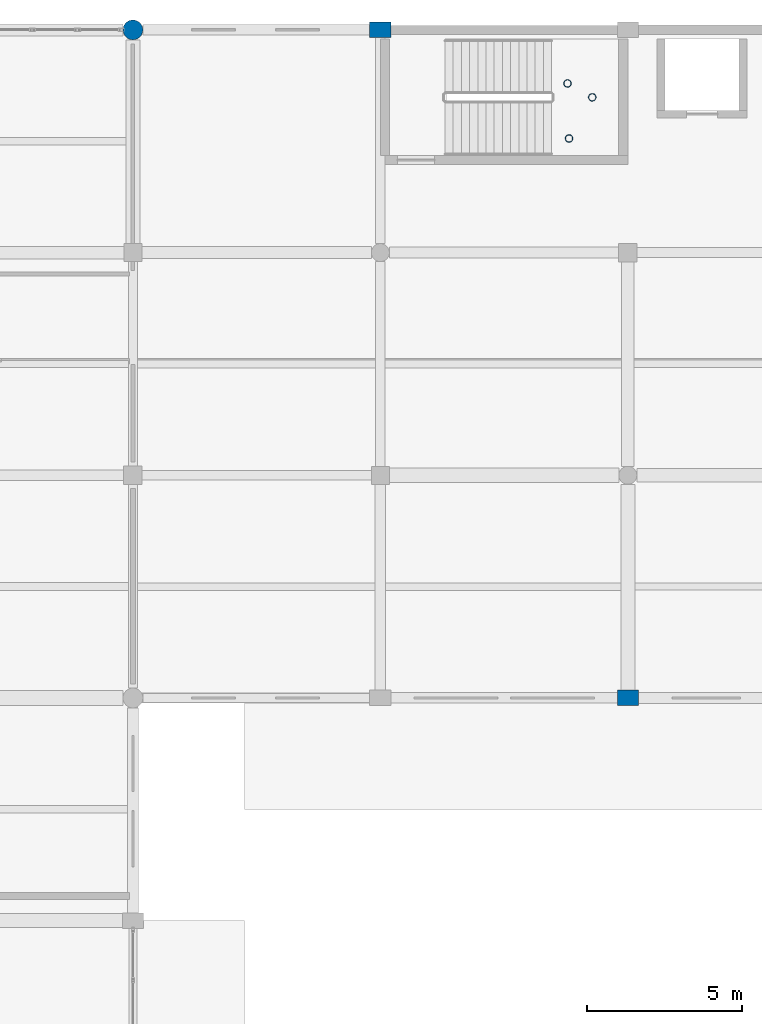
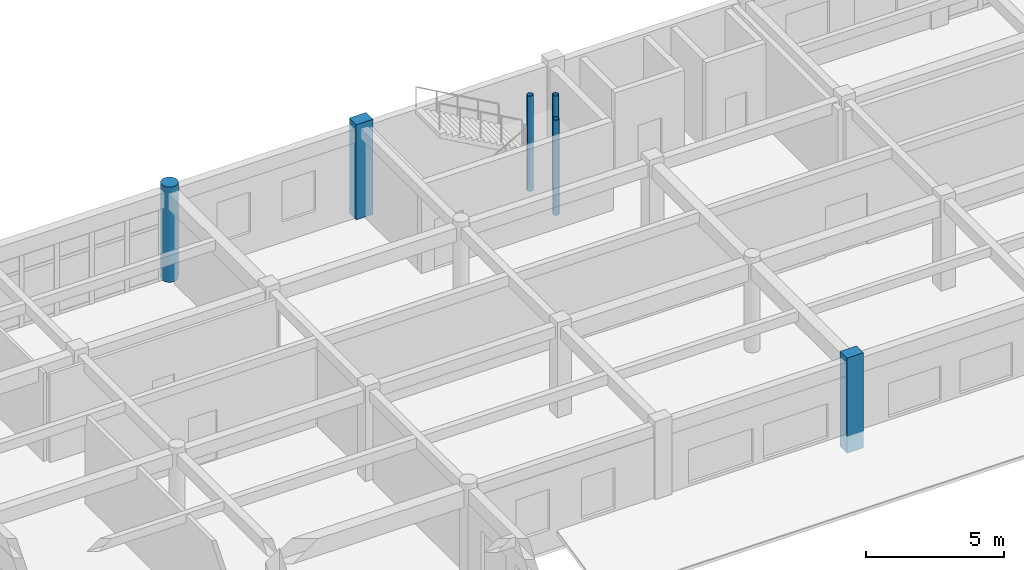
# One storey, part 2 of 121: 6 columns.
"""IFC4 building model written with IfcOpenShell, lengths in metres."""

import ifcopenshell
import ifcopenshell.guid

model = None  # the IFC model being written
_history = None  # IfcOwnerHistory: only IFC2X3 demands one
_inside = {}  # id of a spatial element -> (the spatial element, [elements in it])
_under = {}  # id of a project, library or spatial element -> (it, [spatial elements below it])
_declared = {}  # id of a project -> (the project, [libraries it declares])
_typed = {}  # id of a type object -> (the type object, [elements of that type])
_made_of = {}  # id of a material, layer set ... -> (it, [elements and type objects made of it])


def new_model(schema):
    """Start an empty IFC model of exactly this schema.

    Asked for "IFC4X3", IfcOpenShell would pick the latest addendum, in which some entities
    have other attributes; the version numbers below select the first issue.
    IFC2X3 requires an IfcOwnerHistory on every rooted entity: one is made here for all.
    """
    global model, _history
    if schema == "IFC4X3":
        model = ifcopenshell.file(schema_version=(4, 3, 0, 0))
    else:
        model = ifcopenshell.file(schema=schema)
    _inside.clear()
    _under.clear()
    _declared.clear()
    _typed.clear()
    _made_of.clear()
    _history = None
    if model.schema == "IFC2X3":
        org = make("IfcOrganization", Name="unknown")
        user = make(
            "IfcPersonAndOrganization",
            ThePerson=make("IfcPerson", FamilyName="unknown"),
            TheOrganization=org,
        )
        app = make(
            "IfcApplication",
            ApplicationDeveloper=org,
            Version="unknown",
            ApplicationFullName="unknown",
            ApplicationIdentifier="unknown",
        )
        _history = make(
            "IfcOwnerHistory",
            OwningUser=user,
            OwningApplication=app,
            ChangeAction="ADDED",
            CreationDate=0,
        )
    return model


def make(cls, **values):
    """One entity of the class cls with the attributes given. An attribute that is None is left unset."""
    return model.create_entity(
        cls, **{name: value for name, value in values.items() if value is not None}
    )


def rooted(cls, **values):
    """An entity with a GlobalId (a new one), such as an element, a storey or a relation."""
    return make(cls, GlobalId=ifcopenshell.guid.new(), OwnerHistory=_history, **values)


def si_unit(unit_type, name, prefix=None):
    """IfcSIUnit, for example si_unit("LENGTHUNIT", "METRE", prefix="MILLI")."""
    return make("IfcSIUnit", UnitType=unit_type, Prefix=prefix, Name=name)


def assignment(units):
    """IfcUnitAssignment: the units of a project."""
    return None if units is None else make("IfcUnitAssignment", Units=units)


def point(xyz):
    """IfcCartesianPoint."""
    return None if xyz is None else make("IfcCartesianPoint", Coordinates=xyz)


def direction(xyz):
    """IfcDirection."""
    return None if xyz is None else make("IfcDirection", DirectionRatios=xyz)


def frame(location, z_axis=None, x_axis=None):
    """IfcAxis2Placement3D, a coordinate frame: its origin and axes. An axis left out is left unset."""
    return make(
        "IfcAxis2Placement3D",
        Location=point(location),
        Axis=direction(z_axis),
        RefDirection=direction(x_axis),
    )


def frame_2d(location, x_axis=None):
    """IfcAxis2Placement2D, a coordinate frame in the plane: its origin and x axis."""
    return make(
        "IfcAxis2Placement2D", Location=point(location), RefDirection=direction(x_axis)
    )


def origin():
    """The frame at (0, 0, 0) with its axes left unset."""
    return frame((0.0, 0.0, 0.0))


def origin_2d():
    """The frame at (0, 0) in the plane with its x axis left unset."""
    return frame_2d((0.0, 0.0))


def place(relative_to, where):
    """IfcLocalPlacement: puts the frame where relative to a parent placement (None: the world)."""
    return make(
        "IfcLocalPlacement", PlacementRelTo=relative_to, RelativePlacement=where
    )


def context(
    kind, dimensions, precision=None, world=None, true_north=None, identifier=None
):
    """IfcGeometricRepresentationContext, for example the 3D "Model" context."""
    return make(
        "IfcGeometricRepresentationContext",
        ContextIdentifier=identifier,
        ContextType=kind,
        CoordinateSpaceDimension=dimensions,
        Precision=precision,
        WorldCoordinateSystem=world,
        TrueNorth=true_north,
    )


def subcontext(parent, identifier, kind, view, scale=None):
    """IfcGeometricRepresentationSubContext, for example "Body" below "Model"."""
    return make(
        "IfcGeometricRepresentationSubContext",
        ContextIdentifier=identifier,
        ContextType=kind,
        ParentContext=parent,
        TargetScale=scale,
        TargetView=view,
    )


def project(units=None, contexts=None):
    """IfcProject with its units and contexts."""
    return rooted(
        "IfcProject",
        Name="project",
        RepresentationContexts=contexts,
        UnitsInContext=assignment(units),
    )


def spatial(cls, under=None, at=None, **own):
    """A site, building, storey or space (cls), placed at a placement, below another one or the project."""
    s = rooted(cls, ObjectPlacement=at, **own)
    if under is not None:
        _under.setdefault(under.id(), (under, []))[1].append(s)
    return s


def profile(cls, at=None, kind="AREA", **sizes):
    """A parametric profile (cls). Its sizes go by their IFC names, for example OverallWidth=200.0."""
    return make(cls, ProfileType=kind, Position=at, **sizes)


def rectangle(**sizes):
    """IfcRectangleProfileDef."""
    return profile("IfcRectangleProfileDef", **sizes)


def circle(**sizes):
    """IfcCircleProfileDef."""
    return profile("IfcCircleProfileDef", **sizes)


def hollow_circle(**sizes):
    """IfcCircleHollowProfileDef."""
    return profile("IfcCircleHollowProfileDef", **sizes)


def extrude(swept, where, along, depth):
    """IfcExtrudedAreaSolid: the profile swept, set in the frame where, extruded along a direction by depth."""
    return make(
        "IfcExtrudedAreaSolid",
        SweptArea=swept,
        Position=where,
        ExtrudedDirection=direction(along),
        Depth=depth,
    )


def shape(context_of_items, identifier, shape_type, items):
    """IfcShapeRepresentation: the items that make up one representation, for example the "Body"."""
    return make(
        "IfcShapeRepresentation",
        ContextOfItems=context_of_items,
        RepresentationIdentifier=identifier,
        RepresentationType=shape_type,
        Items=items,
    )


def material(Name=None, Category=None):
    """IfcMaterial."""
    return make("IfcMaterial", Name=Name, Category=Category)


def material_profile(
    of_material, cross_section, Name=None, Category=None, Priority=None
):
    """IfcMaterialProfile: a cross section and its material."""
    return make(
        "IfcMaterialProfile",
        Name=Name,
        Material=of_material,
        Profile=cross_section,
        Priority=Priority,
        Category=Category,
    )


def profile_set(profiles, Name=None, composite=None):
    """IfcMaterialProfileSet."""
    return make(
        "IfcMaterialProfileSet",
        Name=Name,
        MaterialProfiles=profiles,
        CompositeProfile=composite,
    )


def made_of(thing, what):
    """Note that an element or type object is made of a material, layer set ...; save() writes the relation."""
    if what is not None:
        _made_of.setdefault(what.id(), (what, []))[1].append(thing)
    return thing


def type_object(cls, material=None, **own):
    """A type object (cls), such as IfcWallType, which elements share."""
    return made_of(rooted(cls, **own), material)


def element(
    cls,
    number,
    at=None,
    inside=None,
    cuts=None,
    type_object=None,
    material=None,
    context=None,
    identifier="Body",
    shape_type=None,
    held_by="IfcProductDefinitionShape",
    body=None,
    shapes=None,
    **own,
):
    """One element of the class cls, such as IfcWall. Its Tag is "e" and its number.

    at: its placement. inside: the storey or other place that contains it. cuts: it is an
    opening in that element (IfcRelVoidsElement). A single representation is given by context,
    identifier, shape_type and body (its items); several are given by shapes. held_by: the class
    of the entity that holds the representations. save() writes the other relations.
    """
    e = rooted(cls, Tag="e%d" % number, ObjectPlacement=at, **own)
    if body is not None:
        shapes = [shape(context, identifier, shape_type, body)]
    if shapes is not None:
        e.Representation = make(held_by, Representations=shapes)
    if inside is not None:
        _inside.setdefault(inside.id(), (inside, []))[1].append(e)
    if cuts is not None:
        rooted(
            "IfcRelVoidsElement", RelatingBuildingElement=cuts, RelatedOpeningElement=e
        )
    if type_object is not None:
        _typed.setdefault(type_object.id(), (type_object, []))[1].append(e)
    return made_of(e, material)


def aggregate(whole, parts):
    """IfcRelAggregates: a whole, such as a stair, and the parts it consists of."""
    return rooted("IfcRelAggregates", RelatingObject=whole, RelatedObjects=parts)


def save(model, path):
    """Write the relations noted so far, then the file.

    IfcRelAggregates (storeys below a building ...), IfcRelContainedInSpatialStructure (elements
    in a storey), IfcRelDefinesByType, IfcRelAssociatesMaterial and IfcRelDeclares: one each for
    every whole, place, type object, material and project.
    """
    for whole, parts in _under.values():
        aggregate(whole, parts)
    for where, things in _inside.values():
        rooted(
            "IfcRelContainedInSpatialStructure",
            RelatedElements=things,
            RelatingStructure=where,
        )
    for kind, things in _typed.values():
        rooted("IfcRelDefinesByType", RelatedObjects=things, RelatingType=kind)
    for what, things in _made_of.values():
        rooted("IfcRelAssociatesMaterial", RelatedObjects=things, RelatingMaterial=what)
    for by, libraries in _declared.values():
        rooted("IfcRelDeclares", RelatingContext=by, RelatedDefinitions=libraries)
    model.write(path)


model = new_model("IFC4")

# Units and contexts
model_context = context("Model", 3, precision=1e-05, world=origin(), true_north=direction((0.0, 1.0)))
body_context = subcontext(model_context, "Body", "Model", "MODEL_VIEW")
ifc_project = project(units=[si_unit("LENGTHUNIT", "METRE"), si_unit("AREAUNIT", "SQUARE_METRE"), si_unit("VOLUMEUNIT", "CUBIC_METRE"), si_unit("PLANEANGLEUNIT", "RADIAN"), si_unit("MASSUNIT", "GRAM", prefix="KILO")], contexts=[model_context])

# Site, building, storey
site_placement = place(None, origin())
site = spatial("IfcSite", under=ifc_project, at=site_placement, CompositionType="ELEMENT")
building_placement = place(site_placement, origin())
building = spatial("IfcBuilding", under=site, at=building_placement, Name="Kharva Crest Polytechnic", CompositionType="ELEMENT")
storey_placement = place(building_placement, frame((0.0, 0.0, 13.199951171875)))
storey = spatial("IfcBuildingStorey", under=building, at=storey_placement, Name="L03", CompositionType="ELEMENT", Elevation=13.199951171875)

# Columns
ifc_material_1 = material(Name="Concrete C40/50", Category="concrete")
ifc_material_profile_1 = material_profile(ifc_material_1, rectangle(XDim=0.679931640625, YDim=0.5, at=origin_2d()), Name="RECT 680 X 500")
ifc_profile_set_1 = profile_set([ifc_material_profile_1], Name="Concrete C40/50")
column_type_1 = type_object("IfcColumnType", Name="COL-EXT-680X500", PredefinedType="COLUMN", material=ifc_profile_set_1)
column_1_placement = place(storey_placement, frame((64.0, 100.39990234375, 0.0), z_axis=(0.0, 0.0, 1.0), x_axis=(1.0, 0.0, 0.0)))
element("IfcColumn", 1, at=column_1_placement, inside=storey, type_object=column_type_1, Name="L03 Column 9/P", PredefinedType="COLUMN", context=body_context, shape_type="SweptSolid", body=[
    extrude(rectangle(XDim=0.679931640625, YDim=0.5, at=origin_2d()), origin(), (0.0, 0.0, 1.0), 4.199951171875),
])
ifc_material_profile_2 = material_profile(ifc_material_1, rectangle(XDim=0.699951171875, YDim=0.5, at=origin_2d()), Name="RECT 700 X 500")
ifc_profile_set_2 = profile_set([ifc_material_profile_2], Name="Concrete C40/50")
column_type_2 = type_object("IfcColumnType", Name="COL-EXT-700X500", PredefinedType="COLUMN", material=ifc_profile_set_2)
column_2_placement = place(storey_placement, frame((56.0, 122.0, 0.0), z_axis=(0.0, 0.0, 1.0), x_axis=(1.0, 0.0, 0.0)))
element("IfcColumn", 2, at=column_2_placement, inside=storey, type_object=column_type_2, Name="L03 Column 8/S", PredefinedType="COLUMN", context=body_context, shape_type="SweptSolid", body=[
    extrude(rectangle(XDim=0.699951171875, YDim=0.5, at=origin_2d()), origin(), (0.0, 0.0, 1.0), 4.199951171875),
])
ifc_material_profile_3 = material_profile(ifc_material_1, circle(Radius=0.320068359375, at=origin_2d()), Name="DIA 640")
ifc_profile_set_3 = profile_set([ifc_material_profile_3], Name="Concrete C40/50")
column_type_3 = type_object("IfcColumnType", Name="COL-EXT-DIA640", PredefinedType="COLUMN", material=ifc_profile_set_3)
column_3_placement = place(storey_placement, frame((48.0, 122.0, 0.0), z_axis=(0.0, 0.0, 1.0), x_axis=(1.0, 0.0, 0.0)))
element("IfcColumn", 3, at=column_3_placement, inside=storey, type_object=column_type_3, Name="L03 Column 7/S", PredefinedType="COLUMN", context=body_context, shape_type="SweptSolid", body=[
    extrude(circle(Radius=0.320068359375, at=origin_2d()), origin(), (0.0, 0.0, 1.0), 4.199951171875),
])
ifc_material_2 = material(Name="Steel S355", Category="steel")
ifc_material_profile_4 = material_profile(ifc_material_2, hollow_circle(Radius=0.122314453125, WallThickness=0.010009765625, at=origin_2d()), Name="CHS 244.5X10.0")
ifc_profile_set_4 = profile_set([ifc_material_profile_4], Name="Steel S355")
column_type_4 = type_object("IfcColumnType", Name="COL-STL-CHS244", PredefinedType="COLUMN", material=ifc_profile_set_4)
for number, where, z_axis, x_axis, name in (
    (4, (62.10009765625, 118.489990234375, 0.0), (0.0, 0.0, 1.0), (1.0, 0.0, 0.0), "L03 Stair ST-03 Landing Support Column SW"),
    (5, (62.050048828125, 120.27001953125, 0.0), (0.0, 0.0, 1.0), (1.0, 0.0, 0.0), "L03 Stair ST-03 Landing Support Column NW"),
    (6, (62.85009765625, 119.820068359375, 0.0), (0.0, 0.0, 1.0), (1.0, 0.0, 0.0), "L03 Stair ST-03 Landing Support Column EM"),
):
    element("IfcColumn", number, at=place(storey_placement, frame(where, z_axis=z_axis, x_axis=x_axis)), inside=storey, type_object=column_type_4, Name=name, PredefinedType="COLUMN", context=body_context, shape_type="SweptSolid", body=[
        extrude(hollow_circle(Radius=0.122314453125, WallThickness=0.010009765625, at=origin_2d()), origin(), (0.0, 0.0, 1.0), 4.199951171875),
    ])

save(model, "model.ifc")
